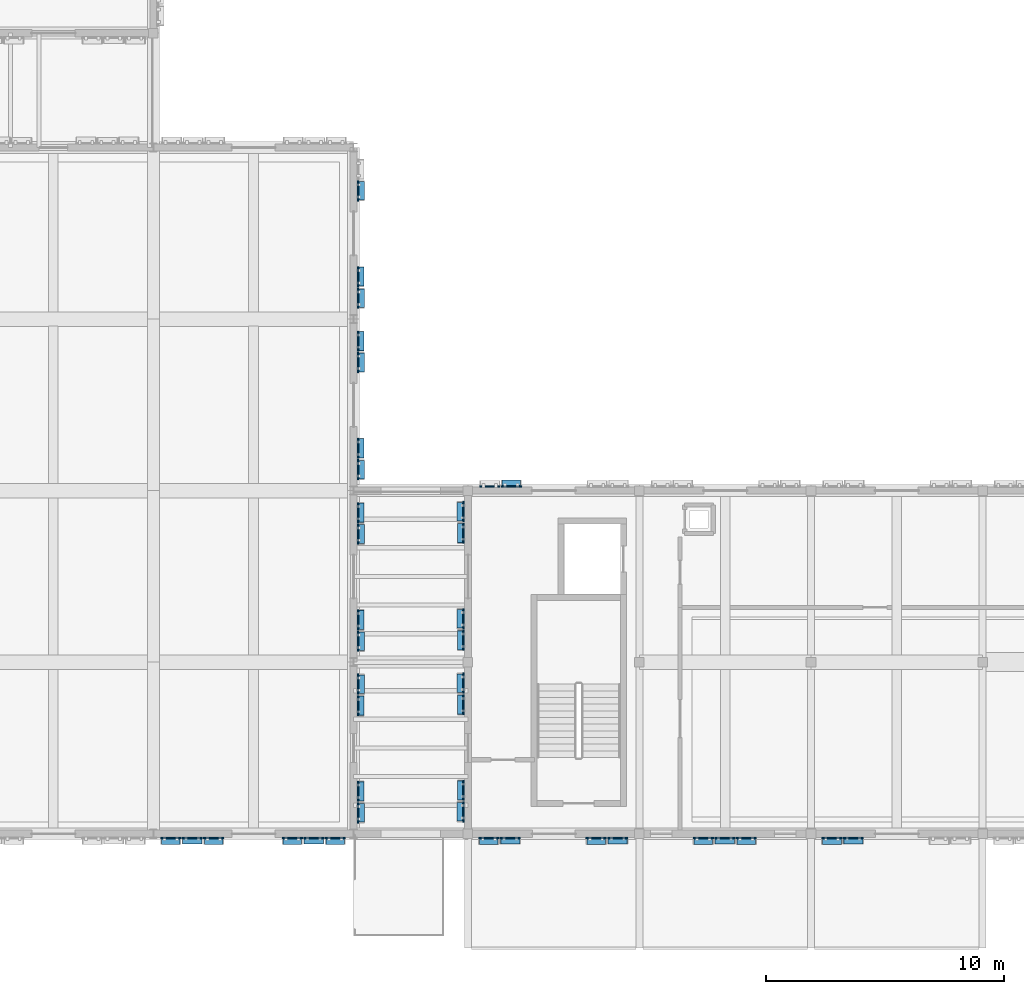
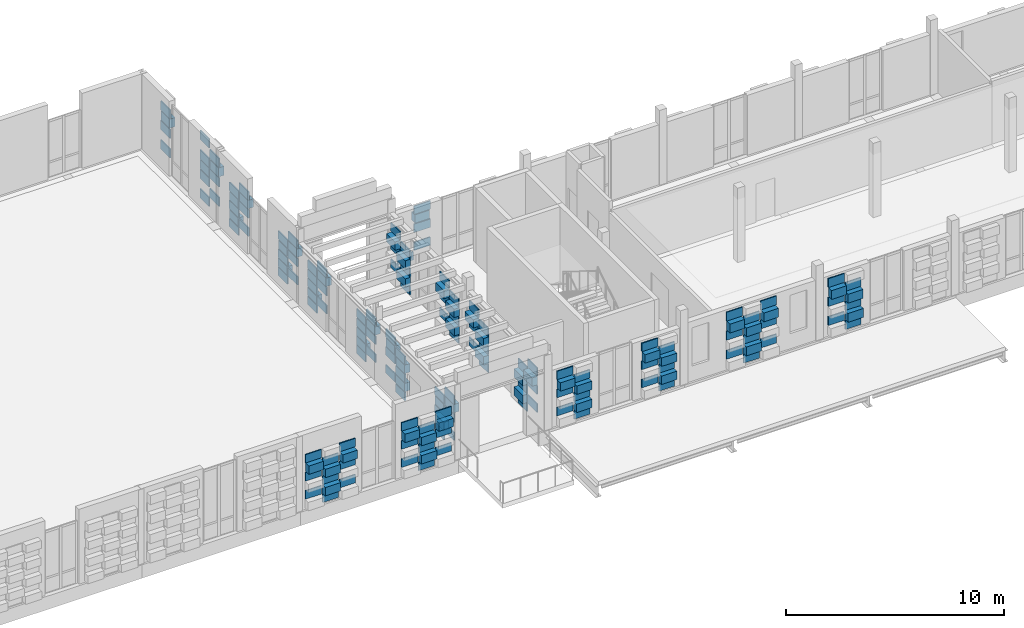
# One storey, part 56 of 99: 174 plates.
"""IFC4 building model written with IfcOpenShell, lengths in metres."""

from ifc_helpers import new_model, si_unit, direction, frame, origin, origin_2d, place, context, subcontext, project, spatial, rectangle, extrude, material, layer, layer_set, type_object, element, save


model = new_model("IFC4")

# Units and contexts
model_context = context("Model", 3, precision=1e-05, world=origin(), true_north=direction((0.0, 1.0)))
body_context = subcontext(model_context, "Body", "Model", "MODEL_VIEW")
ifc_project = project(units=[si_unit("LENGTHUNIT", "METRE"), si_unit("AREAUNIT", "SQUARE_METRE"), si_unit("VOLUMEUNIT", "CUBIC_METRE"), si_unit("PLANEANGLEUNIT", "RADIAN"), si_unit("MASSUNIT", "GRAM", prefix="KILO")], contexts=[model_context])

# Site, building, storey
site_placement = place(None, origin())
site = spatial("IfcSite", under=ifc_project, at=site_placement, CompositionType="ELEMENT")
building_placement = place(site_placement, origin())
building = spatial("IfcBuilding", under=site, at=building_placement, Name="Kahlenmark Community Centre", CompositionType="ELEMENT")
storey_placement = place(building_placement, frame((0.0, 0.0, 5.39990234375)))
storey = spatial("IfcBuildingStorey", under=building, at=storey_placement, Name="L01", CompositionType="ELEMENT", Elevation=5.39990234375)

# Plates
ifc_material_1 = material(Name="Extruded warm terracotta recessed weave tile", Category="masonry")
ifc_layer_1 = layer(ifc_material_1, 0.06005859375)
ifc_layer_set_1 = layer_set([ifc_layer_1], Name="Extruded warm terracotta recessed weave tile")
plate_type_1 = type_object("IfcPlateType", Name="PLT-TC-TC-R10-840X60X468", PredefinedType="SHEET", material=ifc_layer_set_1)
for number, where, z_axis, x_axis, name in (
    (1, (39.22998046875, 8.6201171875, 0.10009765625), (0.0, 0.0, 1.0), (1.0, 0.0, 0.0), "Basketweave terracotta cassette 0151"),
    (2, (39.22998046875, 8.6201171875, 1.1162109375), (0.0, 0.0, 1.0), (1.0, 0.0, 0.0), "Basketweave terracotta cassette 0153"),
    (3, (39.22998046875, 8.6201171875, 2.13232421875), (0.0, 0.0, 1.0), (1.0, 0.0, 0.0), "Basketweave terracotta cassette 0155"),
    (4, (44.330078125, 8.6201171875, 0.10009765625), (0.0, 0.0, 1.0), (1.0, 0.0, 0.0), "Basketweave terracotta cassette 0169"),
    (5, (44.330078125, 8.6201171875, 1.1162109375), (0.0, 0.0, 1.0), (1.0, 0.0, 0.0), "Basketweave terracotta cassette 0171"),
    (6, (44.330078125, 8.6201171875, 2.13232421875), (0.0, 0.0, 1.0), (1.0, 0.0, 0.0), "Basketweave terracotta cassette 0173"),
    (7, (46.179931640625, 10.580078125, 0.10009765625), (0.0, 0.0, 1.0), (0.0, 1.0, 0.0), "Basketweave terracotta cassette 0391"),
    (8, (46.179931640625, 10.580078125, 1.1162109375), (0.0, 0.0, 1.0), (0.0, 1.0, 0.0), "Basketweave terracotta cassette 0393"),
    (9, (46.179931640625, 10.580078125, 2.13232421875), (0.0, 0.0, 1.0), (0.0, 1.0, 0.0), "Basketweave terracotta cassette 0395"),
    (10, (46.179931640625, 14.179931640625, 0.10009765625), (0.0, 0.0, 1.0), (0.0, 1.0, 0.0), "Basketweave terracotta cassette 0397"),
    (11, (46.179931640625, 14.179931640625, 1.1162109375), (0.0, 0.0, 1.0), (0.0, 1.0, 0.0), "Basketweave terracotta cassette 0399"),
    (12, (46.179931640625, 14.179931640625, 2.13232421875), (0.0, 0.0, 1.0), (0.0, 1.0, 0.0), "Basketweave terracotta cassette 0401"),
    (13, (46.179931640625, 17.780029296875, 0.10009765625), (0.0, 0.0, 1.0), (0.0, 1.0, 0.0), "Basketweave terracotta cassette 0415"),
    (14, (46.179931640625, 17.780029296875, 1.1162109375), (0.0, 0.0, 1.0), (0.0, 1.0, 0.0), "Basketweave terracotta cassette 0417"),
    (15, (46.179931640625, 17.780029296875, 2.13232421875), (0.0, 0.0, 1.0), (0.0, 1.0, 0.0), "Basketweave terracotta cassette 0419"),
    (16, (46.179931640625, 22.280029296875, 0.10009765625), (0.0, 0.0, 1.0), (0.0, 1.0, 0.0), "Basketweave terracotta cassette 0427"),
    (17, (46.179931640625, 22.280029296875, 1.1162109375), (0.0, 0.0, 1.0), (0.0, 1.0, 0.0), "Basketweave terracotta cassette 0429"),
    (18, (46.179931640625, 22.280029296875, 2.13232421875), (0.0, 0.0, 1.0), (0.0, 1.0, 0.0), "Basketweave terracotta cassette 0431"),
    (19, (46.179931640625, 24.97998046875, 0.10009765625), (0.0, 0.0, 1.0), (0.0, 1.0, 0.0), "Basketweave terracotta cassette 0439"),
    (20, (46.179931640625, 24.97998046875, 1.1162109375), (0.0, 0.0, 1.0), (0.0, 1.0, 0.0), "Basketweave terracotta cassette 0441"),
    (21, (46.179931640625, 24.97998046875, 2.13232421875), (0.0, 0.0, 1.0), (0.0, 1.0, 0.0), "Basketweave terracotta cassette 0443"),
    (22, (46.179931640625, 29.47998046875, 0.10009765625), (0.0, 0.0, 1.0), (0.0, 1.0, 0.0), "Basketweave terracotta cassette 0451"),
    (23, (46.179931640625, 29.47998046875, 1.1162109375), (0.0, 0.0, 1.0), (0.0, 1.0, 0.0), "Basketweave terracotta cassette 0453"),
    (24, (46.179931640625, 29.47998046875, 2.13232421875), (0.0, 0.0, 1.0), (0.0, 1.0, 0.0), "Basketweave terracotta cassette 0455"),
    (25, (52.580078125, 8.6201171875, 0.10009765625), (0.0, 0.0, 1.0), (1.0, 0.0, 0.0), "Basketweave terracotta cassette 0941"),
    (26, (52.580078125, 8.6201171875, 1.1162109375), (0.0, 0.0, 1.0), (1.0, 0.0, 0.0), "Basketweave terracotta cassette 0943"),
    (27, (52.580078125, 8.6201171875, 2.13232421875), (0.0, 0.0, 1.0), (1.0, 0.0, 0.0), "Basketweave terracotta cassette 0945"),
    (28, (57.080078125, 8.6201171875, 0.10009765625), (0.0, 0.0, 1.0), (1.0, 0.0, 0.0), "Basketweave terracotta cassette 0953"),
    (29, (57.080078125, 8.6201171875, 1.1162109375), (0.0, 0.0, 1.0), (1.0, 0.0, 0.0), "Basketweave terracotta cassette 0955"),
    (30, (57.080078125, 8.6201171875, 2.13232421875), (0.0, 0.0, 1.0), (1.0, 0.0, 0.0), "Basketweave terracotta cassette 0957"),
    (31, (51.719970703125, 23.3798828125, 0.10009765625), (0.0, 0.0, 1.0), (-1.0, 0.0, 0.0), "Basketweave terracotta cassette 1067"),
    (32, (50.6201171875, 14.219970703125, 0.10009765625), (0.0, 0.0, 1.0), (0.0, -1.0, 0.0), "Basketweave terracotta cassette 1169"),
    (33, (50.6201171875, 14.219970703125, 1.1162109375), (0.0, 0.0, 1.0), (0.0, -1.0, 0.0), "Basketweave terracotta cassette 1171"),
    (34, (50.6201171875, 14.219970703125, 2.13232421875), (0.0, 0.0, 1.0), (0.0, -1.0, 0.0), "Basketweave terracotta cassette 1173"),
    (35, (50.6201171875, 10.6201171875, 0.10009765625), (0.0, 0.0, 1.0), (0.0, -1.0, 0.0), "Basketweave terracotta cassette 1175"),
    (36, (50.6201171875, 10.6201171875, 1.1162109375), (0.0, 0.0, 1.0), (0.0, -1.0, 0.0), "Basketweave terracotta cassette 1177"),
    (37, (50.6201171875, 10.6201171875, 2.13232421875), (0.0, 0.0, 1.0), (0.0, -1.0, 0.0), "Basketweave terracotta cassette 1179"),
    (38, (50.6201171875, 21.419921875, 0.10009765625), (0.0, 0.0, 1.0), (0.0, -1.0, 0.0), "Basketweave terracotta cassette 1193"),
    (39, (50.6201171875, 21.419921875, 1.1162109375), (0.0, 0.0, 1.0), (0.0, -1.0, 0.0), "Basketweave terracotta cassette 1195"),
    (40, (50.6201171875, 21.419921875, 2.13232421875), (0.0, 0.0, 1.0), (0.0, -1.0, 0.0), "Basketweave terracotta cassette 1197"),
    (41, (50.6201171875, 16.919921875, 0.10009765625), (0.0, 0.0, 1.0), (0.0, -1.0, 0.0), "Basketweave terracotta cassette 1205"),
    (42, (50.6201171875, 16.919921875, 1.1162109375), (0.0, 0.0, 1.0), (0.0, -1.0, 0.0), "Basketweave terracotta cassette 1207"),
    (43, (50.6201171875, 16.919921875, 2.13232421875), (0.0, 0.0, 1.0), (0.0, -1.0, 0.0), "Basketweave terracotta cassette 1209"),
):
    element("IfcPlate", number, at=place(storey_placement, frame(where, z_axis=z_axis, x_axis=x_axis)), inside=storey, type_object=plate_type_1, Name=name, PredefinedType="SHEET", context=body_context, shape_type="SweptSolid", body=[
        extrude(rectangle(XDim=0.840087890625, YDim=0.06005859375, at=origin_2d()), origin(), (0.0, 0.0, 1.0), 0.468017578125),
    ])
ifc_layer_2 = layer(ifc_material_1, 0.06005859375)
ifc_layer_set_2 = layer_set([ifc_layer_2], Name="Extruded warm terracotta recessed weave tile")
plate_type_2 = type_object("IfcPlateType", Name="PLT-TC-TC-R10-840X60X495", PredefinedType="SHEET", material=ifc_layer_set_2)
for number, where, z_axis, x_axis, name in (
    (44, (61.580078125, 8.6201171875, 0.10009765625), (0.0, 0.0, 1.0), (1.0, 0.0, 0.0), "Basketweave terracotta cassette 0965"),
    (45, (61.580078125, 8.6201171875, 1.169921875), (0.0, 0.0, 1.0), (1.0, 0.0, 0.0), "Basketweave terracotta cassette 0967"),
    (46, (61.580078125, 8.6201171875, 2.239990234375), (0.0, 0.0, 1.0), (1.0, 0.0, 0.0), "Basketweave terracotta cassette 0969"),
    (47, (66.97998046875, 8.6201171875, 0.10009765625), (0.0, 0.0, 1.0), (1.0, 0.0, 0.0), "Basketweave terracotta cassette 0983"),
    (48, (66.97998046875, 8.6201171875, 1.169921875), (0.0, 0.0, 1.0), (1.0, 0.0, 0.0), "Basketweave terracotta cassette 0985"),
    (49, (66.97998046875, 8.6201171875, 2.239990234375), (0.0, 0.0, 1.0), (1.0, 0.0, 0.0), "Basketweave terracotta cassette 0987"),
):
    element("IfcPlate", number, at=place(storey_placement, frame(where, z_axis=z_axis, x_axis=x_axis)), inside=storey, type_object=plate_type_2, Name=name, PredefinedType="SHEET", context=body_context, shape_type="SweptSolid", body=[
        extrude(rectangle(XDim=0.840087890625, YDim=0.06005859375, at=origin_2d()), origin(), (0.0, 0.0, 1.0), 0.4951171875),
    ])
ifc_layer_3 = layer(ifc_material_1, 0.06005859375)
ifc_layer_set_3 = layer_set([ifc_layer_3], Name="Extruded warm terracotta recessed weave tile")
plate_type_3 = type_object("IfcPlateType", Name="PLT-TC-TC-R10-840X60X506", PredefinedType="SHEET", material=ifc_layer_set_3)
for number, where, z_axis, x_axis, name in (
    (50, (46.179931640625, 32.179931640625, 0.10009765625), (0.0, 0.0, 1.0), (0.0, 1.0, 0.0), "Basketweave terracotta cassette 0464"),
    (51, (46.179931640625, 32.179931640625, 1.19189453125), (0.0, 0.0, 1.0), (0.0, 1.0, 0.0), "Basketweave terracotta cassette 0466"),
    (52, (46.179931640625, 32.179931640625, 2.2841796875), (0.0, 0.0, 1.0), (0.0, 1.0, 0.0), "Basketweave terracotta cassette 0468"),
    (53, (46.179931640625, 32.179931640625, 3.3759765625), (0.0, 0.0, 1.0), (0.0, 1.0, 0.0), "Basketweave terracotta cassette 0470"),
):
    element("IfcPlate", number, at=place(storey_placement, frame(where, z_axis=z_axis, x_axis=x_axis)), inside=storey, type_object=plate_type_3, Name=name, PredefinedType="SHEET", context=body_context, shape_type="SweptSolid", body=[
        extrude(rectangle(XDim=0.840087890625, YDim=0.06005859375, at=origin_2d()), origin(), (0.0, 0.0, 1.0), 0.506103515625),
    ])
ifc_layer_4 = layer(ifc_material_1, 0.06005859375)
ifc_layer_set_4 = layer_set([ifc_layer_4], Name="Extruded warm terracotta recessed weave tile")
plate_type_4 = type_object("IfcPlateType", Name="PLT-TC-TC-R10-860X60X468", PredefinedType="SHEET", material=ifc_layer_set_4)
for number, where, z_axis, x_axis, name in (
    (54, (38.330078125, 8.6201171875, 0.60791015625), (0.0, 0.0, 1.0), (1.0, 0.0, 0.0), "Basketweave terracotta cassette 0146"),
    (55, (38.330078125, 8.6201171875, 1.6240234375), (0.0, 0.0, 1.0), (1.0, 0.0, 0.0), "Basketweave terracotta cassette 0148"),
    (56, (38.330078125, 8.6201171875, 2.64013671875), (0.0, 0.0, 1.0), (1.0, 0.0, 0.0), "Basketweave terracotta cassette 0150"),
    (57, (40.1298828125, 8.6201171875, 0.60791015625), (0.0, 0.0, 1.0), (1.0, 0.0, 0.0), "Basketweave terracotta cassette 0158"),
    (58, (40.1298828125, 8.6201171875, 1.6240234375), (0.0, 0.0, 1.0), (1.0, 0.0, 0.0), "Basketweave terracotta cassette 0160"),
    (59, (40.1298828125, 8.6201171875, 2.64013671875), (0.0, 0.0, 1.0), (1.0, 0.0, 0.0), "Basketweave terracotta cassette 0162"),
    (60, (43.429931640625, 8.6201171875, 0.60791015625), (0.0, 0.0, 1.0), (1.0, 0.0, 0.0), "Basketweave terracotta cassette 0164"),
    (61, (43.429931640625, 8.6201171875, 1.6240234375), (0.0, 0.0, 1.0), (1.0, 0.0, 0.0), "Basketweave terracotta cassette 0166"),
    (62, (43.429931640625, 8.6201171875, 2.64013671875), (0.0, 0.0, 1.0), (1.0, 0.0, 0.0), "Basketweave terracotta cassette 0168"),
    (63, (45.22998046875, 8.6201171875, 0.60791015625), (0.0, 0.0, 1.0), (1.0, 0.0, 0.0), "Basketweave terracotta cassette 0176"),
    (64, (45.22998046875, 8.6201171875, 1.6240234375), (0.0, 0.0, 1.0), (1.0, 0.0, 0.0), "Basketweave terracotta cassette 0178"),
    (65, (45.22998046875, 8.6201171875, 2.64013671875), (0.0, 0.0, 1.0), (1.0, 0.0, 0.0), "Basketweave terracotta cassette 0180"),
    (66, (46.179931640625, 9.679931640625, 0.60791015625), (0.0, 0.0, 1.0), (0.0, 1.0, 0.0), "Basketweave terracotta cassette 0386"),
    (67, (46.179931640625, 9.679931640625, 1.6240234375), (0.0, 0.0, 1.0), (0.0, 1.0, 0.0), "Basketweave terracotta cassette 0388"),
    (68, (46.179931640625, 9.679931640625, 2.64013671875), (0.0, 0.0, 1.0), (0.0, 1.0, 0.0), "Basketweave terracotta cassette 0390"),
    (69, (46.179931640625, 15.080078125, 0.60791015625), (0.0, 0.0, 1.0), (0.0, 1.0, 0.0), "Basketweave terracotta cassette 0404"),
    (70, (46.179931640625, 15.080078125, 1.6240234375), (0.0, 0.0, 1.0), (0.0, 1.0, 0.0), "Basketweave terracotta cassette 0406"),
    (71, (46.179931640625, 15.080078125, 2.64013671875), (0.0, 0.0, 1.0), (0.0, 1.0, 0.0), "Basketweave terracotta cassette 0408"),
    (72, (46.179931640625, 16.8798828125, 0.60791015625), (0.0, 0.0, 1.0), (0.0, 1.0, 0.0), "Basketweave terracotta cassette 0410"),
    (73, (46.179931640625, 16.8798828125, 1.6240234375), (0.0, 0.0, 1.0), (0.0, 1.0, 0.0), "Basketweave terracotta cassette 0412"),
    (74, (46.179931640625, 16.8798828125, 2.64013671875), (0.0, 0.0, 1.0), (0.0, 1.0, 0.0), "Basketweave terracotta cassette 0414"),
    (75, (46.179931640625, 21.3798828125, 0.60791015625), (0.0, 0.0, 1.0), (0.0, 1.0, 0.0), "Basketweave terracotta cassette 0422"),
    (76, (46.179931640625, 21.3798828125, 1.6240234375), (0.0, 0.0, 1.0), (0.0, 1.0, 0.0), "Basketweave terracotta cassette 0424"),
    (77, (46.179931640625, 21.3798828125, 2.64013671875), (0.0, 0.0, 1.0), (0.0, 1.0, 0.0), "Basketweave terracotta cassette 0426"),
    (78, (46.179931640625, 24.080078125, 0.60791015625), (0.0, 0.0, 1.0), (0.0, 1.0, 0.0), "Basketweave terracotta cassette 0434"),
    (79, (46.179931640625, 24.080078125, 1.6240234375), (0.0, 0.0, 1.0), (0.0, 1.0, 0.0), "Basketweave terracotta cassette 0436"),
    (80, (46.179931640625, 24.080078125, 2.64013671875), (0.0, 0.0, 1.0), (0.0, 1.0, 0.0), "Basketweave terracotta cassette 0438"),
    (81, (46.179931640625, 28.580078125, 0.60791015625), (0.0, 0.0, 1.0), (0.0, 1.0, 0.0), "Basketweave terracotta cassette 0446"),
    (82, (46.179931640625, 28.580078125, 1.6240234375), (0.0, 0.0, 1.0), (0.0, 1.0, 0.0), "Basketweave terracotta cassette 0448"),
    (83, (46.179931640625, 28.580078125, 2.64013671875), (0.0, 0.0, 1.0), (0.0, 1.0, 0.0), "Basketweave terracotta cassette 0450"),
    (84, (51.679931640625, 8.6201171875, 0.60791015625), (0.0, 0.0, 1.0), (1.0, 0.0, 0.0), "Basketweave terracotta cassette 0936"),
    (85, (51.679931640625, 8.6201171875, 1.6240234375), (0.0, 0.0, 1.0), (1.0, 0.0, 0.0), "Basketweave terracotta cassette 0938"),
    (86, (51.679931640625, 8.6201171875, 2.64013671875), (0.0, 0.0, 1.0), (1.0, 0.0, 0.0), "Basketweave terracotta cassette 0940"),
    (87, (56.179931640625, 8.6201171875, 0.60791015625), (0.0, 0.0, 1.0), (1.0, 0.0, 0.0), "Basketweave terracotta cassette 0948"),
    (88, (56.179931640625, 8.6201171875, 1.6240234375), (0.0, 0.0, 1.0), (1.0, 0.0, 0.0), "Basketweave terracotta cassette 0950"),
    (89, (56.179931640625, 8.6201171875, 2.64013671875), (0.0, 0.0, 1.0), (1.0, 0.0, 0.0), "Basketweave terracotta cassette 0952"),
    (90, (52.6201171875, 23.3798828125, 0.60791015625), (0.0, 0.0, 1.0), (-1.0, 0.0, 0.0), "Basketweave terracotta cassette 1062"),
    (91, (52.6201171875, 23.3798828125, 1.6240234375), (0.0, 0.0, 1.0), (-1.0, 0.0, 0.0), "Basketweave terracotta cassette 1064"),
    (92, (52.6201171875, 23.3798828125, 2.64013671875), (0.0, 0.0, 1.0), (-1.0, 0.0, 0.0), "Basketweave terracotta cassette 1066"),
    (93, (50.6201171875, 15.1201171875, 0.60791015625), (0.0, 0.0, 1.0), (0.0, -1.0, 0.0), "Basketweave terracotta cassette 1164"),
    (94, (50.6201171875, 15.1201171875, 1.6240234375), (0.0, 0.0, 1.0), (0.0, -1.0, 0.0), "Basketweave terracotta cassette 1166"),
    (95, (50.6201171875, 15.1201171875, 2.64013671875), (0.0, 0.0, 1.0), (0.0, -1.0, 0.0), "Basketweave terracotta cassette 1168"),
    (96, (50.6201171875, 9.719970703125, 0.60791015625), (0.0, 0.0, 1.0), (0.0, -1.0, 0.0), "Basketweave terracotta cassette 1182"),
    (97, (50.6201171875, 9.719970703125, 1.6240234375), (0.0, 0.0, 1.0), (0.0, -1.0, 0.0), "Basketweave terracotta cassette 1184"),
    (98, (50.6201171875, 9.719970703125, 2.64013671875), (0.0, 0.0, 1.0), (0.0, -1.0, 0.0), "Basketweave terracotta cassette 1186"),
    (99, (50.6201171875, 22.320068359375, 0.60791015625), (0.0, 0.0, 1.0), (0.0, -1.0, 0.0), "Basketweave terracotta cassette 1188"),
    (100, (50.6201171875, 22.320068359375, 1.6240234375), (0.0, 0.0, 1.0), (0.0, -1.0, 0.0), "Basketweave terracotta cassette 1190"),
    (101, (50.6201171875, 22.320068359375, 2.64013671875), (0.0, 0.0, 1.0), (0.0, -1.0, 0.0), "Basketweave terracotta cassette 1192"),
    (102, (50.6201171875, 17.820068359375, 0.60791015625), (0.0, 0.0, 1.0), (0.0, -1.0, 0.0), "Basketweave terracotta cassette 1200"),
    (103, (50.6201171875, 17.820068359375, 1.6240234375), (0.0, 0.0, 1.0), (0.0, -1.0, 0.0), "Basketweave terracotta cassette 1202"),
    (104, (50.6201171875, 17.820068359375, 2.64013671875), (0.0, 0.0, 1.0), (0.0, -1.0, 0.0), "Basketweave terracotta cassette 1204"),
):
    element("IfcPlate", number, at=place(storey_placement, frame(where, z_axis=z_axis, x_axis=x_axis)), inside=storey, type_object=plate_type_4, Name=name, PredefinedType="SHEET", context=body_context, shape_type="SweptSolid", body=[
        extrude(rectangle(XDim=0.860107421875, YDim=0.06005859375, at=origin_2d()), origin(), (0.0, 0.0, 1.0), 0.468017578125),
    ])
ifc_layer_5 = layer(ifc_material_1, 0.06005859375)
ifc_layer_set_5 = layer_set([ifc_layer_5], Name="Extruded warm terracotta recessed weave tile")
plate_type_5 = type_object("IfcPlateType", Name="PLT-TC-TC-R10-860X60X495", PredefinedType="SHEET", material=ifc_layer_set_5)
for number, where, z_axis, x_axis, name in (
    (105, (60.679931640625, 8.6201171875, 0.635009765625), (0.0, 0.0, 1.0), (1.0, 0.0, 0.0), "Basketweave terracotta cassette 0960"),
    (106, (60.679931640625, 8.6201171875, 1.705078125), (0.0, 0.0, 1.0), (1.0, 0.0, 0.0), "Basketweave terracotta cassette 0962"),
    (107, (60.679931640625, 8.6201171875, 2.775146484375), (0.0, 0.0, 1.0), (1.0, 0.0, 0.0), "Basketweave terracotta cassette 0964"),
    (108, (62.47998046875, 8.6201171875, 0.635009765625), (0.0, 0.0, 1.0), (1.0, 0.0, 0.0), "Basketweave terracotta cassette 0972"),
    (109, (62.47998046875, 8.6201171875, 1.705078125), (0.0, 0.0, 1.0), (1.0, 0.0, 0.0), "Basketweave terracotta cassette 0974"),
    (110, (62.47998046875, 8.6201171875, 2.775146484375), (0.0, 0.0, 1.0), (1.0, 0.0, 0.0), "Basketweave terracotta cassette 0976"),
    (111, (66.080078125, 8.6201171875, 0.635009765625), (0.0, 0.0, 1.0), (1.0, 0.0, 0.0), "Basketweave terracotta cassette 0978"),
    (112, (66.080078125, 8.6201171875, 1.705078125), (0.0, 0.0, 1.0), (1.0, 0.0, 0.0), "Basketweave terracotta cassette 0980"),
    (113, (66.080078125, 8.6201171875, 2.775146484375), (0.0, 0.0, 1.0), (1.0, 0.0, 0.0), "Basketweave terracotta cassette 0982"),
):
    element("IfcPlate", number, at=place(storey_placement, frame(where, z_axis=z_axis, x_axis=x_axis)), inside=storey, type_object=plate_type_5, Name=name, PredefinedType="SHEET", context=body_context, shape_type="SweptSolid", body=[
        extrude(rectangle(XDim=0.860107421875, YDim=0.06005859375, at=origin_2d()), origin(), (0.0, 0.0, 1.0), 0.4951171875),
    ])
ifc_layer_6 = layer(ifc_material_1, 0.06005859375)
ifc_layer_set_6 = layer_set([ifc_layer_6], Name="Extruded warm terracotta recessed weave tile")
plate_type_6 = type_object("IfcPlateType", Name="PLT-TC-TC-R10-860X60X506", PredefinedType="SHEET", material=ifc_layer_set_6)
for number, where, z_axis, x_axis, name in (
    (114, (46.179931640625, 31.280029296875, 0.64599609375), (0.0, 0.0, 1.0), (0.0, 1.0, 0.0), "Basketweave terracotta cassette 0458"),
    (115, (46.179931640625, 31.280029296875, 1.73828125), (0.0, 0.0, 1.0), (0.0, 1.0, 0.0), "Basketweave terracotta cassette 0460"),
    (116, (46.179931640625, 31.280029296875, 2.830078125), (0.0, 0.0, 1.0), (0.0, 1.0, 0.0), "Basketweave terracotta cassette 0462"),
    (117, (46.179931640625, 35.780029296875, 0.64599609375), (0.0, 0.0, 1.0), (0.0, 1.0, 0.0), "Basketweave terracotta cassette 0472"),
    (118, (46.179931640625, 35.780029296875, 1.73828125), (0.0, 0.0, 1.0), (0.0, 1.0, 0.0), "Basketweave terracotta cassette 0474"),
    (119, (46.179931640625, 35.780029296875, 2.830078125), (0.0, 0.0, 1.0), (0.0, 1.0, 0.0), "Basketweave terracotta cassette 0476"),
):
    element("IfcPlate", number, at=place(storey_placement, frame(where, z_axis=z_axis, x_axis=x_axis)), inside=storey, type_object=plate_type_6, Name=name, PredefinedType="SHEET", context=body_context, shape_type="SweptSolid", body=[
        extrude(rectangle(XDim=0.860107421875, YDim=0.06005859375, at=origin_2d()), origin(), (0.0, 0.0, 1.0), 0.506103515625),
    ])
ifc_material_2 = material(Name="Extruded glazed terracotta weave cassette", Category="masonry")
ifc_layer_7 = layer(ifc_material_2, 0.300048828125)
ifc_layer_set_7 = layer_set([ifc_layer_7], Name="Extruded glazed terracotta weave cassette")
plate_type_7 = type_object("IfcPlateType", Name="PLT-TC-TC-R34-780X300X468", PredefinedType="SHEET", material=ifc_layer_set_7)
for number, where, z_axis, x_axis, name in (
    (120, (38.330078125, 8.5, 2.13232421875), (0.0, 0.0, 1.0), (1.0, 0.0, 0.0), "Basketweave terracotta cassette 0149"),
    (121, (40.1298828125, 8.5, 2.13232421875), (0.0, 0.0, 1.0), (1.0, 0.0, 0.0), "Basketweave terracotta cassette 0161"),
    (122, (43.429931640625, 8.5, 2.13232421875), (0.0, 0.0, 1.0), (1.0, 0.0, 0.0), "Basketweave terracotta cassette 0167"),
    (123, (45.22998046875, 8.5, 2.13232421875), (0.0, 0.0, 1.0), (1.0, 0.0, 0.0), "Basketweave terracotta cassette 0179"),
    (124, (46.300048828125, 9.679931640625, 2.13232421875), (0.0, 0.0, 1.0), (0.0, 1.0, 0.0), "Basketweave terracotta cassette 0389"),
    (125, (46.300048828125, 15.080078125, 2.13232421875), (0.0, 0.0, 1.0), (0.0, 1.0, 0.0), "Basketweave terracotta cassette 0407"),
    (126, (46.300048828125, 16.8798828125, 2.13232421875), (0.0, 0.0, 1.0), (0.0, 1.0, 0.0), "Basketweave terracotta cassette 0413"),
    (127, (46.300048828125, 21.3798828125, 2.13232421875), (0.0, 0.0, 1.0), (0.0, 1.0, 0.0), "Basketweave terracotta cassette 0425"),
    (128, (46.300048828125, 24.080078125, 2.13232421875), (0.0, 0.0, 1.0), (0.0, 1.0, 0.0), "Basketweave terracotta cassette 0437"),
    (129, (46.300048828125, 28.580078125, 2.13232421875), (0.0, 0.0, 1.0), (0.0, 1.0, 0.0), "Basketweave terracotta cassette 0449"),
    (130, (51.679931640625, 8.5, 2.13232421875), (0.0, 0.0, 1.0), (1.0, 0.0, 0.0), "Basketweave terracotta cassette 0939"),
    (131, (56.179931640625, 8.5, 2.13232421875), (0.0, 0.0, 1.0), (1.0, 0.0, 0.0), "Basketweave terracotta cassette 0951"),
    (132, (52.6201171875, 23.5, 2.13232421875), (0.0, 0.0, 1.0), (-1.0, 0.0, 0.0), "Basketweave terracotta cassette 1065"),
    (133, (50.5, 15.1201171875, 2.13232421875), (0.0, 0.0, 1.0), (0.0, -1.0, 0.0), "Basketweave terracotta cassette 1167"),
    (134, (50.5, 9.719970703125, 2.13232421875), (0.0, 0.0, 1.0), (0.0, -1.0, 0.0), "Basketweave terracotta cassette 1185"),
    (135, (50.5, 22.320068359375, 2.13232421875), (0.0, 0.0, 1.0), (0.0, -1.0, 0.0), "Basketweave terracotta cassette 1191"),
    (136, (50.5, 17.820068359375, 2.13232421875), (0.0, 0.0, 1.0), (0.0, -1.0, 0.0), "Basketweave terracotta cassette 1203"),
):
    element("IfcPlate", number, at=place(storey_placement, frame(where, z_axis=z_axis, x_axis=x_axis)), inside=storey, type_object=plate_type_7, Name=name, PredefinedType="SHEET", context=body_context, shape_type="SweptSolid", body=[
        extrude(rectangle(XDim=0.780029296875, YDim=0.300048828125, at=origin_2d()), origin(), (0.0, 0.0, 1.0), 0.468017578125),
    ])
ifc_layer_8 = layer(ifc_material_2, 0.300048828125)
ifc_layer_set_8 = layer_set([ifc_layer_8], Name="Extruded glazed terracotta weave cassette")
plate_type_8 = type_object("IfcPlateType", Name="PLT-TC-TC-R34-780X300X495", PredefinedType="SHEET", material=ifc_layer_set_8)
for number, where, z_axis, x_axis, name in (
    (137, (60.679931640625, 8.5, 2.239990234375), (0.0, 0.0, 1.0), (1.0, 0.0, 0.0), "Basketweave terracotta cassette 0963"),
    (138, (62.47998046875, 8.5, 2.239990234375), (0.0, 0.0, 1.0), (1.0, 0.0, 0.0), "Basketweave terracotta cassette 0975"),
    (139, (66.080078125, 8.5, 2.239990234375), (0.0, 0.0, 1.0), (1.0, 0.0, 0.0), "Basketweave terracotta cassette 0981"),
):
    element("IfcPlate", number, at=place(storey_placement, frame(where, z_axis=z_axis, x_axis=x_axis)), inside=storey, type_object=plate_type_8, Name=name, PredefinedType="SHEET", context=body_context, shape_type="SweptSolid", body=[
        extrude(rectangle(XDim=0.780029296875, YDim=0.300048828125, at=origin_2d()), origin(), (0.0, 0.0, 1.0), 0.4951171875),
    ])
ifc_layer_9 = layer(ifc_material_2, 0.300048828125)
ifc_layer_set_9 = layer_set([ifc_layer_9], Name="Extruded glazed terracotta weave cassette")
plate_type_9 = type_object("IfcPlateType", Name="PLT-TC-TC-R34-780X300X506", PredefinedType="SHEET", material=ifc_layer_set_9)
for number, where, z_axis, x_axis, name in (
    (140, (46.300048828125, 31.280029296875, 2.2841796875), (0.0, 0.0, 1.0), (0.0, 1.0, 0.0), "Basketweave terracotta cassette 0461"),
    (141, (46.300048828125, 35.780029296875, 2.2841796875), (0.0, 0.0, 1.0), (0.0, 1.0, 0.0), "Basketweave terracotta cassette 0475"),
):
    element("IfcPlate", number, at=place(storey_placement, frame(where, z_axis=z_axis, x_axis=x_axis)), inside=storey, type_object=plate_type_9, Name=name, PredefinedType="SHEET", context=body_context, shape_type="SweptSolid", body=[
        extrude(rectangle(XDim=0.780029296875, YDim=0.300048828125, at=origin_2d()), origin(), (0.0, 0.0, 1.0), 0.506103515625),
    ])
ifc_layer_10 = layer(ifc_material_2, 0.280029296875)
ifc_layer_set_10 = layer_set([ifc_layer_10], Name="Extruded glazed terracotta weave cassette")
plate_type_10 = type_object("IfcPlateType", Name="PLT-TC-TC-W30-800X280X468", PredefinedType="SHEET", material=ifc_layer_set_10)
for number, where, z_axis, x_axis, name in (
    (142, (39.22998046875, 8.510009765625, 1.6240234375), (0.0, 0.0, 1.0), (1.0, 0.0, 0.0), "Basketweave terracotta cassette 0154"),
    (143, (44.330078125, 8.510009765625, 1.6240234375), (0.0, 0.0, 1.0), (1.0, 0.0, 0.0), "Basketweave terracotta cassette 0172"),
    (144, (46.2900390625, 10.580078125, 1.6240234375), (0.0, 0.0, 1.0), (0.0, 1.0, 0.0), "Basketweave terracotta cassette 0394"),
    (145, (46.2900390625, 14.179931640625, 1.6240234375), (0.0, 0.0, 1.0), (0.0, 1.0, 0.0), "Basketweave terracotta cassette 0400"),
    (146, (46.2900390625, 17.780029296875, 1.6240234375), (0.0, 0.0, 1.0), (0.0, 1.0, 0.0), "Basketweave terracotta cassette 0418"),
    (147, (46.2900390625, 22.280029296875, 1.6240234375), (0.0, 0.0, 1.0), (0.0, 1.0, 0.0), "Basketweave terracotta cassette 0430"),
    (148, (46.2900390625, 24.97998046875, 1.6240234375), (0.0, 0.0, 1.0), (0.0, 1.0, 0.0), "Basketweave terracotta cassette 0442"),
    (149, (46.2900390625, 29.47998046875, 1.6240234375), (0.0, 0.0, 1.0), (0.0, 1.0, 0.0), "Basketweave terracotta cassette 0454"),
    (150, (52.580078125, 8.510009765625, 1.6240234375), (0.0, 0.0, 1.0), (1.0, 0.0, 0.0), "Basketweave terracotta cassette 0944"),
    (151, (57.080078125, 8.510009765625, 1.6240234375), (0.0, 0.0, 1.0), (1.0, 0.0, 0.0), "Basketweave terracotta cassette 0956"),
    (152, (50.510009765625, 14.219970703125, 1.6240234375), (0.0, 0.0, 1.0), (0.0, -1.0, 0.0), "Basketweave terracotta cassette 1172"),
    (153, (50.510009765625, 10.6201171875, 1.6240234375), (0.0, 0.0, 1.0), (0.0, -1.0, 0.0), "Basketweave terracotta cassette 1178"),
    (154, (50.510009765625, 21.419921875, 1.6240234375), (0.0, 0.0, 1.0), (0.0, -1.0, 0.0), "Basketweave terracotta cassette 1196"),
    (155, (50.510009765625, 16.919921875, 1.6240234375), (0.0, 0.0, 1.0), (0.0, -1.0, 0.0), "Basketweave terracotta cassette 1208"),
):
    element("IfcPlate", number, at=place(storey_placement, frame(where, z_axis=z_axis, x_axis=x_axis)), inside=storey, type_object=plate_type_10, Name=name, PredefinedType="SHEET", context=body_context, shape_type="SweptSolid", body=[
        extrude(rectangle(XDim=0.800048828125, YDim=0.280029296875, at=origin_2d()), origin(), (0.0, 0.0, 1.0), 0.468017578125),
    ])
ifc_layer_11 = layer(ifc_material_2, 0.280029296875)
ifc_layer_set_11 = layer_set([ifc_layer_11], Name="Extruded glazed terracotta weave cassette")
plate_type_11 = type_object("IfcPlateType", Name="PLT-TC-TC-W30-800X280X495", PredefinedType="SHEET", material=ifc_layer_set_11)
for number, where, z_axis, x_axis, name in (
    (156, (61.580078125, 8.510009765625, 1.705078125), (0.0, 0.0, 1.0), (1.0, 0.0, 0.0), "Basketweave terracotta cassette 0968"),
    (157, (66.97998046875, 8.510009765625, 1.705078125), (0.0, 0.0, 1.0), (1.0, 0.0, 0.0), "Basketweave terracotta cassette 0986"),
):
    element("IfcPlate", number, at=place(storey_placement, frame(where, z_axis=z_axis, x_axis=x_axis)), inside=storey, type_object=plate_type_11, Name=name, PredefinedType="SHEET", context=body_context, shape_type="SweptSolid", body=[
        extrude(rectangle(XDim=0.800048828125, YDim=0.280029296875, at=origin_2d()), origin(), (0.0, 0.0, 1.0), 0.4951171875),
    ])
ifc_layer_12 = layer(ifc_material_2, 0.280029296875)
ifc_layer_set_12 = layer_set([ifc_layer_12], Name="Extruded glazed terracotta weave cassette")
plate_type_12 = type_object("IfcPlateType", Name="PLT-TC-TC-W30-800X280X506", PredefinedType="SHEET", material=ifc_layer_set_12)
plate_placement = place(storey_placement, frame((46.2900390625, 32.179931640625, 1.73828125), z_axis=(0.0, 0.0, 1.0), x_axis=(0.0, 1.0, 0.0)))
element("IfcPlate", 158, at=plate_placement, inside=storey, type_object=plate_type_12, Name="Basketweave terracotta cassette 0467", PredefinedType="SHEET", context=body_context, shape_type="SweptSolid", body=[
    extrude(rectangle(XDim=0.800048828125, YDim=0.280029296875, at=origin_2d()), origin(), (0.0, 0.0, 1.0), 0.506103515625),
])
ifc_layer_13 = layer(ifc_material_2, 0.280029296875)
ifc_layer_set_13 = layer_set([ifc_layer_13], Name="Extruded glazed terracotta weave cassette")
plate_type_13 = type_object("IfcPlateType", Name="PLT-TC-TC-W30-820X280X468", PredefinedType="SHEET", material=ifc_layer_set_13)
for number, where, z_axis, x_axis, name in (
    (159, (39.22998046875, 8.510009765625, 0.60791015625), (0.0, 0.0, 1.0), (1.0, 0.0, 0.0), "Basketweave terracotta cassette 0152"),
    (160, (44.330078125, 8.510009765625, 0.60791015625), (0.0, 0.0, 1.0), (1.0, 0.0, 0.0), "Basketweave terracotta cassette 0170"),
    (161, (46.2900390625, 10.580078125, 0.60791015625), (0.0, 0.0, 1.0), (0.0, 1.0, 0.0), "Basketweave terracotta cassette 0392"),
    (162, (46.2900390625, 14.179931640625, 0.60791015625), (0.0, 0.0, 1.0), (0.0, 1.0, 0.0), "Basketweave terracotta cassette 0398"),
    (163, (46.2900390625, 17.780029296875, 0.60791015625), (0.0, 0.0, 1.0), (0.0, 1.0, 0.0), "Basketweave terracotta cassette 0416"),
    (164, (46.2900390625, 22.280029296875, 0.60791015625), (0.0, 0.0, 1.0), (0.0, 1.0, 0.0), "Basketweave terracotta cassette 0428"),
    (165, (46.2900390625, 24.97998046875, 0.60791015625), (0.0, 0.0, 1.0), (0.0, 1.0, 0.0), "Basketweave terracotta cassette 0440"),
    (166, (46.2900390625, 29.47998046875, 0.60791015625), (0.0, 0.0, 1.0), (0.0, 1.0, 0.0), "Basketweave terracotta cassette 0452"),
    (167, (52.580078125, 8.510009765625, 0.60791015625), (0.0, 0.0, 1.0), (1.0, 0.0, 0.0), "Basketweave terracotta cassette 0942"),
    (168, (57.080078125, 8.510009765625, 0.60791015625), (0.0, 0.0, 1.0), (1.0, 0.0, 0.0), "Basketweave terracotta cassette 0954"),
    (169, (50.510009765625, 14.219970703125, 0.60791015625), (0.0, 0.0, 1.0), (0.0, -1.0, 0.0), "Basketweave terracotta cassette 1170"),
    (170, (50.510009765625, 10.6201171875, 0.60791015625), (0.0, 0.0, 1.0), (0.0, -1.0, 0.0), "Basketweave terracotta cassette 1176"),
    (171, (50.510009765625, 21.419921875, 0.60791015625), (0.0, 0.0, 1.0), (0.0, -1.0, 0.0), "Basketweave terracotta cassette 1194"),
    (172, (50.510009765625, 16.919921875, 0.60791015625), (0.0, 0.0, 1.0), (0.0, -1.0, 0.0), "Basketweave terracotta cassette 1206"),
):
    element("IfcPlate", number, at=place(storey_placement, frame(where, z_axis=z_axis, x_axis=x_axis)), inside=storey, type_object=plate_type_13, Name=name, PredefinedType="SHEET", context=body_context, shape_type="SweptSolid", body=[
        extrude(rectangle(XDim=0.820068359375, YDim=0.280029296875, at=origin_2d()), origin(), (0.0, 0.0, 1.0), 0.468017578125),
    ])
ifc_layer_14 = layer(ifc_material_2, 0.280029296875)
ifc_layer_set_14 = layer_set([ifc_layer_14], Name="Extruded glazed terracotta weave cassette")
plate_type_14 = type_object("IfcPlateType", Name="PLT-TC-TC-W30-820X280X495", PredefinedType="SHEET", material=ifc_layer_set_14)
for number, where, z_axis, x_axis, name in (
    (173, (61.580078125, 8.510009765625, 0.635009765625), (0.0, 0.0, 1.0), (1.0, 0.0, 0.0), "Basketweave terracotta cassette 0966"),
    (174, (66.97998046875, 8.510009765625, 0.635009765625), (0.0, 0.0, 1.0), (1.0, 0.0, 0.0), "Basketweave terracotta cassette 0984"),
):
    element("IfcPlate", number, at=place(storey_placement, frame(where, z_axis=z_axis, x_axis=x_axis)), inside=storey, type_object=plate_type_14, Name=name, PredefinedType="SHEET", context=body_context, shape_type="SweptSolid", body=[
        extrude(rectangle(XDim=0.820068359375, YDim=0.280029296875, at=origin_2d()), origin(), (0.0, 0.0, 1.0), 0.4951171875),
    ])

save(model, "model.ifc")
